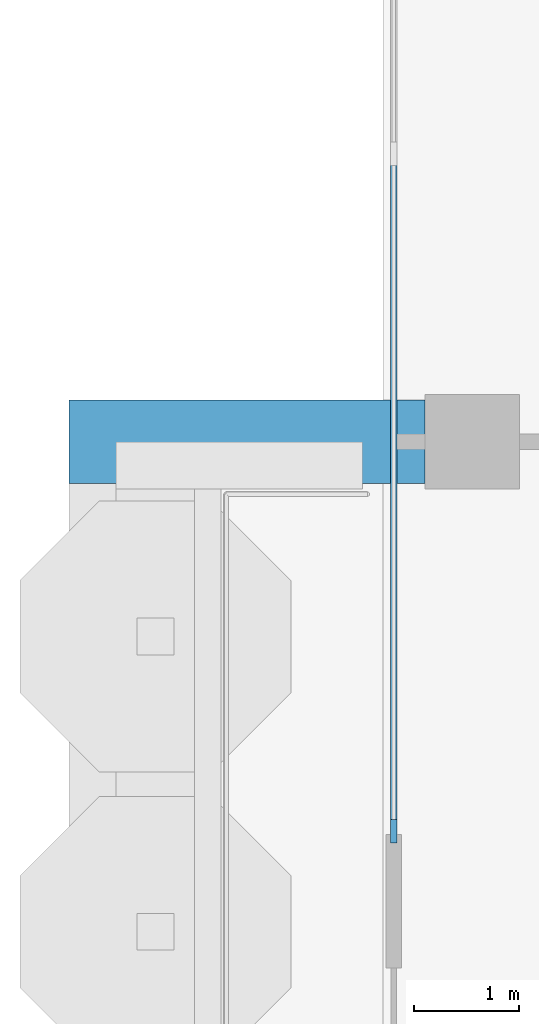
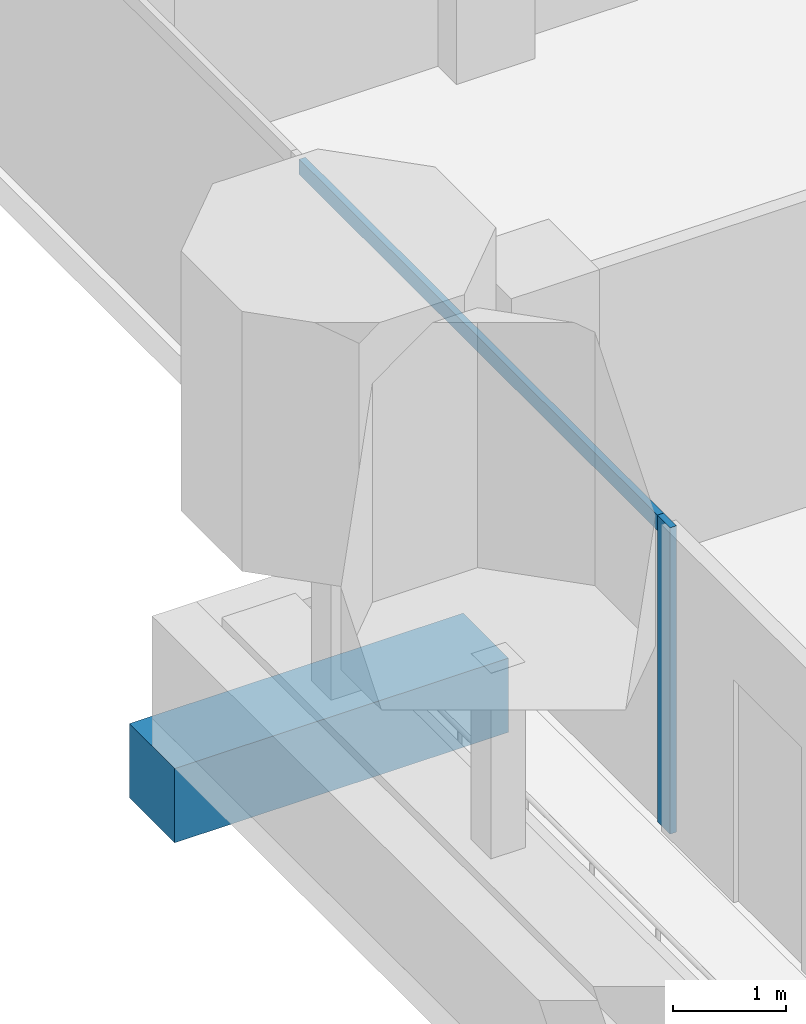
# One storey, part 3 of 18: 2 members, 1 beam, 1 element without a shape of its own.
"""IFC4 building model written with IfcOpenShell, lengths in metres."""

from ifc_helpers import new_model, si_unit, direction, frame, origin, origin_2d, place, context, subcontext, project, spatial, rectangle, extrude, material, material_profile, profile_set, type_object, element, aggregate, save


model = new_model("IFC4")

# Units and contexts
model_context = context("Model", 3, precision=1e-05, world=origin(), true_north=direction((0.0, 1.0)))
body_context = subcontext(model_context, "Body", "Model", "MODEL_VIEW")
ifc_project = project(units=[si_unit("LENGTHUNIT", "METRE"), si_unit("AREAUNIT", "SQUARE_METRE"), si_unit("VOLUMEUNIT", "CUBIC_METRE"), si_unit("PLANEANGLEUNIT", "RADIAN"), si_unit("MASSUNIT", "GRAM", prefix="KILO")], contexts=[model_context])

# Site, building, storey
site_placement = place(None, origin())
site = spatial("IfcSite", under=ifc_project, at=site_placement, CompositionType="ELEMENT")
building_placement = place(site_placement, origin())
building = spatial("IfcBuilding", under=site, at=building_placement, Name="Pilkhan Gate Tower", CompositionType="ELEMENT")
storey_placement = place(building_placement, frame((0.0, 0.0, 231.89990234375)))
storey = spatial("IfcBuildingStorey", under=building, at=storey_placement, Name="L60", CompositionType="ELEMENT", Elevation=231.89990234375)

# Beam
ifc_material_1 = material(Name="Concrete C50/60", Category="concrete")
ifc_material_profile_1 = material_profile(ifc_material_1, rectangle(XDim=0.800048828125, YDim=0.800048828125, at=origin_2d()), Name="RC 800x800")
ifc_profile_set_1 = profile_set([ifc_material_profile_1], Name="Concrete C50/60")
beam_type = type_object("IfcBeamType", Name="Cantilever beam CB2 RC 800x800 C50/60", PredefinedType="BEAM", material=ifc_profile_set_1)
beam_placement = place(storey_placement, frame((48.300048828125, 67.5, -0.699951171875), z_axis=(-1.0, 0.0, 0.0), x_axis=(0.0, -1.0, 0.0)))
element("IfcBeam", 1, at=beam_placement, inside=storey, type_object=beam_type, Name="Balcony beam W.3 L60", PredefinedType="BEAM", context=body_context, shape_type="SweptSolid", body=[
    extrude(rectangle(XDim=0.800048828125, YDim=0.800048828125, at=origin_2d()), origin(), (0.0, 0.0, 1.0), 3.400146484375),
])

# Curtain wall, members
ifc_material_2 = material(Name="Pale anodised aluminium, clear low-iron double glazing", Category="aluminium")
curtain_wall_type = type_object("IfcCurtainWallType", Name="Office unitised curtain wall CW-O2", PredefinedType="USERDEFINED", material=ifc_material_2)
curtain_wall_placement = place(storey_placement, origin())
curtain_wall = element("IfcCurtainWall", 2, at=curtain_wall_placement, inside=storey, type_object=curtain_wall_type, Name="Office unitised curtain wall CW-O2 L60 W", ObjectType="UNITISED CURTAIN WALL", PredefinedType="USERDEFINED")
ifc_material_3 = material(Name="Pale anodised aluminium", Category="aluminium")
ifc_material_profile_2 = material_profile(ifc_material_3, rectangle(XDim=0.06494140625, YDim=0.22509765625, at=origin_2d()), Name="Mullion 225x65")
ifc_profile_set_2 = profile_set([ifc_material_profile_2], Name="Pale anodised aluminium")
member_type_1 = type_object("IfcMemberType", Name="Mullion CW-O2 225x65", PredefinedType="MULLION", material=ifc_profile_set_2)
member_1_placement = place(storey_placement, frame((48.0, 63.782470703125, 0.0), z_axis=(0.0, 0.0, 1.0), x_axis=(-1.0, 0.0, 0.0)))
member_1 = element("IfcMember", 3, at=member_1_placement, type_object=member_type_1, Name="CW-O2 mullion 1", PredefinedType="MULLION", context=body_context, shape_type="SweptSolid", body=[
    extrude(rectangle(XDim=0.06494140625, YDim=0.22509765625, at=origin_2d()), origin(), (0.0, 0.0, 1.0), 3.300048828125),
])
ifc_material_profile_3 = material_profile(ifc_material_3, rectangle(XDim=0.06494140625, YDim=0.1650390625, at=origin_2d()), Name="Transom 165x65")
ifc_profile_set_3 = profile_set([ifc_material_profile_3], Name="Pale anodised aluminium")
member_type_2 = type_object("IfcMemberType", Name="Transom CW-O2 165x65", PredefinedType="USERDEFINED", material=ifc_profile_set_3)
member_2_placement = place(storey_placement, frame((48.0, 63.81494140625, 3.217529296875), z_axis=(0.0, 1.0, 0.0), x_axis=(-1.0, 0.0, 0.0)))
member_2 = element("IfcMember", 4, at=member_2_placement, type_object=member_type_2, Name="CW-O2 transom 1", ObjectType="TRANSOM", PredefinedType="USERDEFINED", context=body_context, shape_type="SweptSolid", body=[
    extrude(rectangle(XDim=0.06494140625, YDim=0.1650390625, at=origin_2d()), origin(), (0.0, 0.0, 1.0), 6.402587890625),
])
aggregate(curtain_wall, [member_1, member_2])

save(model, "model.ifc")
